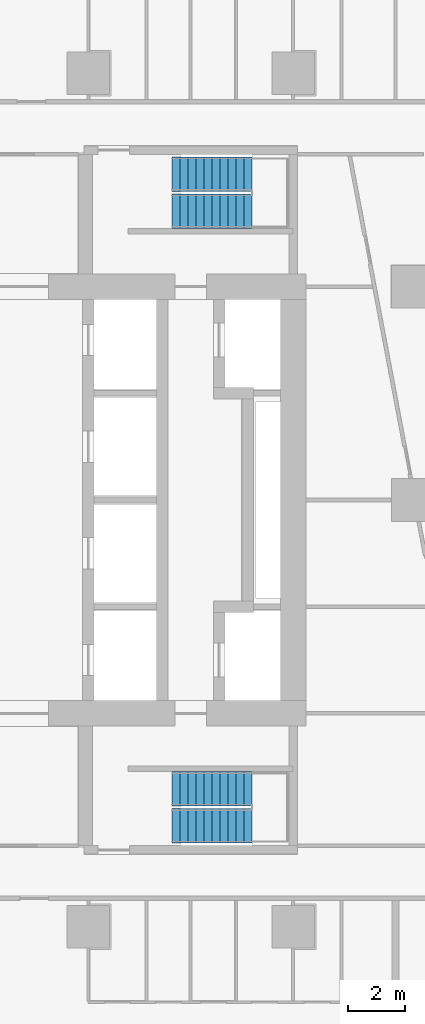
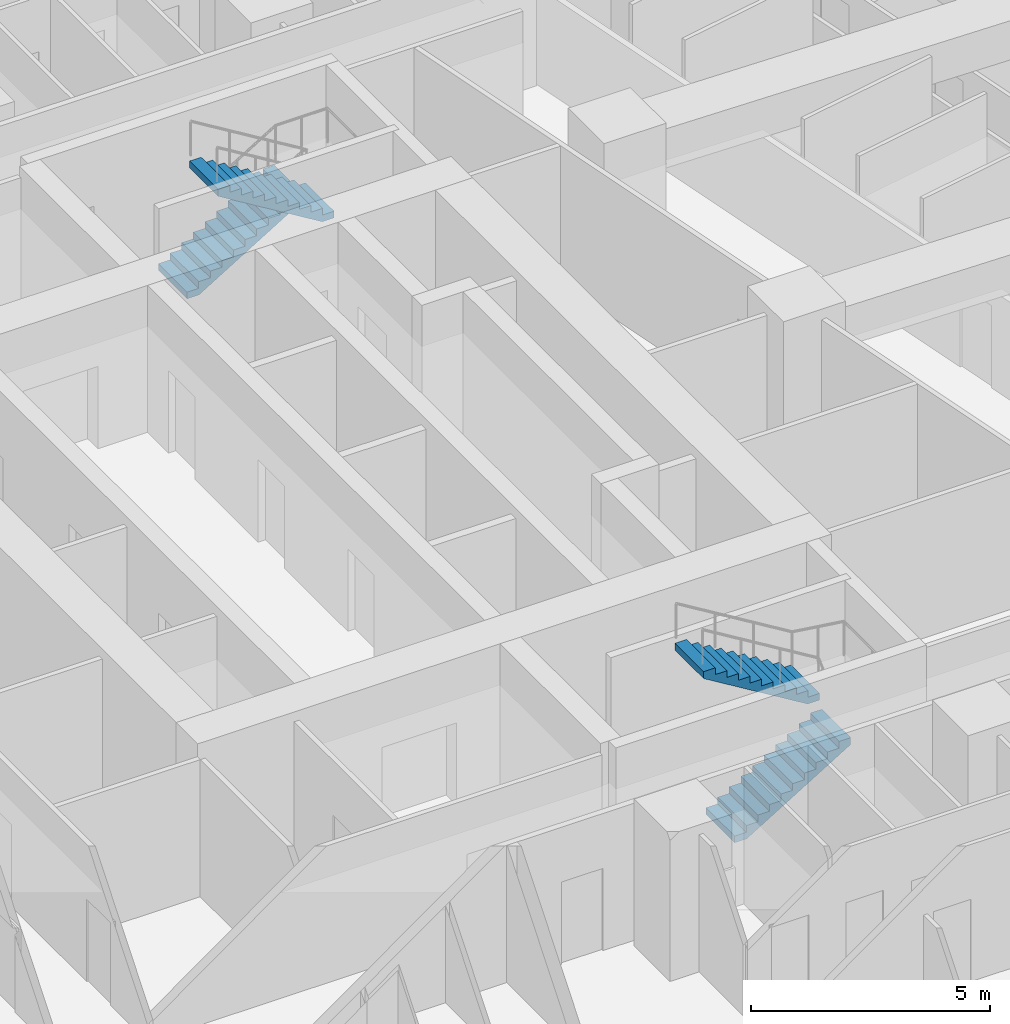
# One storey, part 13 of 15: 4 stair flights, 2 elements without a shape of their own.
"""IFC4 building model written with IfcOpenShell, lengths in metres."""

import ifcopenshell
import ifcopenshell.guid

model = None  # the IFC model being written
_history = None  # IfcOwnerHistory: only IFC2X3 demands one
_inside = {}  # id of a spatial element -> (the spatial element, [elements in it])
_under = {}  # id of a project, library or spatial element -> (it, [spatial elements below it])
_declared = {}  # id of a project -> (the project, [libraries it declares])
_typed = {}  # id of a type object -> (the type object, [elements of that type])
_made_of = {}  # id of a material, layer set ... -> (it, [elements and type objects made of it])


def new_model(schema):
    """Start an empty IFC model of exactly this schema.

    Asked for "IFC4X3", IfcOpenShell would pick the latest addendum, in which some entities
    have other attributes; the version numbers below select the first issue.
    IFC2X3 requires an IfcOwnerHistory on every rooted entity: one is made here for all.
    """
    global model, _history
    if schema == "IFC4X3":
        model = ifcopenshell.file(schema_version=(4, 3, 0, 0))
    else:
        model = ifcopenshell.file(schema=schema)
    _inside.clear()
    _under.clear()
    _declared.clear()
    _typed.clear()
    _made_of.clear()
    _history = None
    if model.schema == "IFC2X3":
        org = make("IfcOrganization", Name="unknown")
        user = make(
            "IfcPersonAndOrganization",
            ThePerson=make("IfcPerson", FamilyName="unknown"),
            TheOrganization=org,
        )
        app = make(
            "IfcApplication",
            ApplicationDeveloper=org,
            Version="unknown",
            ApplicationFullName="unknown",
            ApplicationIdentifier="unknown",
        )
        _history = make(
            "IfcOwnerHistory",
            OwningUser=user,
            OwningApplication=app,
            ChangeAction="ADDED",
            CreationDate=0,
        )
    return model


def make(cls, **values):
    """One entity of the class cls with the attributes given. An attribute that is None is left unset."""
    return model.create_entity(
        cls, **{name: value for name, value in values.items() if value is not None}
    )


def rooted(cls, **values):
    """An entity with a GlobalId (a new one), such as an element, a storey or a relation."""
    return make(cls, GlobalId=ifcopenshell.guid.new(), OwnerHistory=_history, **values)


def si_unit(unit_type, name, prefix=None):
    """IfcSIUnit, for example si_unit("LENGTHUNIT", "METRE", prefix="MILLI")."""
    return make("IfcSIUnit", UnitType=unit_type, Prefix=prefix, Name=name)


def assignment(units):
    """IfcUnitAssignment: the units of a project."""
    return None if units is None else make("IfcUnitAssignment", Units=units)


def point(xyz):
    """IfcCartesianPoint."""
    return None if xyz is None else make("IfcCartesianPoint", Coordinates=xyz)


def direction(xyz):
    """IfcDirection."""
    return None if xyz is None else make("IfcDirection", DirectionRatios=xyz)


def frame(location, z_axis=None, x_axis=None):
    """IfcAxis2Placement3D, a coordinate frame: its origin and axes. An axis left out is left unset."""
    return make(
        "IfcAxis2Placement3D",
        Location=point(location),
        Axis=direction(z_axis),
        RefDirection=direction(x_axis),
    )


def origin():
    """The frame at (0, 0, 0) with its axes left unset."""
    return frame((0.0, 0.0, 0.0))


def place(relative_to, where):
    """IfcLocalPlacement: puts the frame where relative to a parent placement (None: the world)."""
    return make(
        "IfcLocalPlacement", PlacementRelTo=relative_to, RelativePlacement=where
    )


def context(
    kind, dimensions, precision=None, world=None, true_north=None, identifier=None
):
    """IfcGeometricRepresentationContext, for example the 3D "Model" context."""
    return make(
        "IfcGeometricRepresentationContext",
        ContextIdentifier=identifier,
        ContextType=kind,
        CoordinateSpaceDimension=dimensions,
        Precision=precision,
        WorldCoordinateSystem=world,
        TrueNorth=true_north,
    )


def subcontext(parent, identifier, kind, view, scale=None):
    """IfcGeometricRepresentationSubContext, for example "Body" below "Model"."""
    return make(
        "IfcGeometricRepresentationSubContext",
        ContextIdentifier=identifier,
        ContextType=kind,
        ParentContext=parent,
        TargetScale=scale,
        TargetView=view,
    )


def project(units=None, contexts=None):
    """IfcProject with its units and contexts."""
    return rooted(
        "IfcProject",
        Name="project",
        RepresentationContexts=contexts,
        UnitsInContext=assignment(units),
    )


def spatial(cls, under=None, at=None, **own):
    """A site, building, storey or space (cls), placed at a placement, below another one or the project."""
    s = rooted(cls, ObjectPlacement=at, **own)
    if under is not None:
        _under.setdefault(under.id(), (under, []))[1].append(s)
    return s


def point_list(points):
    """IfcCartesianPointList2D or 3D."""
    cls = (
        "IfcCartesianPointList2D" if len(points[0]) == 2 else "IfcCartesianPointList3D"
    )
    return make(cls, CoordList=points)


def triangles(points, corners, closed=None, point_numbers=None):
    """IfcTriangulatedFaceSet: each triangle names its three corners, points numbered from 1."""
    return make(
        "IfcTriangulatedFaceSet",
        Coordinates=point_list(points),
        Closed=closed,
        CoordIndex=corners,
        PnIndex=point_numbers,
    )


def shape(context_of_items, identifier, shape_type, items):
    """IfcShapeRepresentation: the items that make up one representation, for example the "Body"."""
    return make(
        "IfcShapeRepresentation",
        ContextOfItems=context_of_items,
        RepresentationIdentifier=identifier,
        RepresentationType=shape_type,
        Items=items,
    )


def material(Name=None, Category=None):
    """IfcMaterial."""
    return make("IfcMaterial", Name=Name, Category=Category)


def made_of(thing, what):
    """Note that an element or type object is made of a material, layer set ...; save() writes the relation."""
    if what is not None:
        _made_of.setdefault(what.id(), (what, []))[1].append(thing)
    return thing


def type_object(cls, material=None, **own):
    """A type object (cls), such as IfcWallType, which elements share."""
    return made_of(rooted(cls, **own), material)


def element(
    cls,
    number,
    at=None,
    inside=None,
    cuts=None,
    type_object=None,
    material=None,
    context=None,
    identifier="Body",
    shape_type=None,
    held_by="IfcProductDefinitionShape",
    body=None,
    shapes=None,
    **own,
):
    """One element of the class cls, such as IfcWall. Its Tag is "e" and its number.

    at: its placement. inside: the storey or other place that contains it. cuts: it is an
    opening in that element (IfcRelVoidsElement). A single representation is given by context,
    identifier, shape_type and body (its items); several are given by shapes. held_by: the class
    of the entity that holds the representations. save() writes the other relations.
    """
    e = rooted(cls, Tag="e%d" % number, ObjectPlacement=at, **own)
    if body is not None:
        shapes = [shape(context, identifier, shape_type, body)]
    if shapes is not None:
        e.Representation = make(held_by, Representations=shapes)
    if inside is not None:
        _inside.setdefault(inside.id(), (inside, []))[1].append(e)
    if cuts is not None:
        rooted(
            "IfcRelVoidsElement", RelatingBuildingElement=cuts, RelatedOpeningElement=e
        )
    if type_object is not None:
        _typed.setdefault(type_object.id(), (type_object, []))[1].append(e)
    return made_of(e, material)


def aggregate(whole, parts):
    """IfcRelAggregates: a whole, such as a stair, and the parts it consists of."""
    return rooted("IfcRelAggregates", RelatingObject=whole, RelatedObjects=parts)


def save(model, path):
    """Write the relations noted so far, then the file.

    IfcRelAggregates (storeys below a building ...), IfcRelContainedInSpatialStructure (elements
    in a storey), IfcRelDefinesByType, IfcRelAssociatesMaterial and IfcRelDeclares: one each for
    every whole, place, type object, material and project.
    """
    for whole, parts in _under.values():
        aggregate(whole, parts)
    for where, things in _inside.values():
        rooted(
            "IfcRelContainedInSpatialStructure",
            RelatedElements=things,
            RelatingStructure=where,
        )
    for kind, things in _typed.values():
        rooted("IfcRelDefinesByType", RelatedObjects=things, RelatingType=kind)
    for what, things in _made_of.values():
        rooted("IfcRelAssociatesMaterial", RelatedObjects=things, RelatingMaterial=what)
    for by, libraries in _declared.values():
        rooted("IfcRelDeclares", RelatingContext=by, RelatedDefinitions=libraries)
    model.write(path)


model = new_model("IFC4")

# Units and contexts
model_context = context("Model", 3, precision=1e-05, world=origin(), true_north=direction((0.0, 1.0)))
body_context = subcontext(model_context, "Body", "Model", "MODEL_VIEW")
ifc_project = project(units=[si_unit("LENGTHUNIT", "METRE"), si_unit("AREAUNIT", "SQUARE_METRE"), si_unit("VOLUMEUNIT", "CUBIC_METRE"), si_unit("PLANEANGLEUNIT", "RADIAN"), si_unit("MASSUNIT", "GRAM", prefix="KILO")], contexts=[model_context])

# Site, building, storey
site_placement = place(None, origin())
site = spatial("IfcSite", under=ifc_project, at=site_placement, CompositionType="ELEMENT")
building_placement = place(site_placement, origin())
building = spatial("IfcBuilding", under=site, at=building_placement, Name="Sheger Commons Tower", CompositionType="ELEMENT")
storey_placement = place(building_placement, frame((0.0, 0.0, 139.550048828125)))
storey = spatial("IfcBuildingStorey", under=building, at=storey_placement, Name="L35", CompositionType="ELEMENT", Elevation=139.550048828125)

# Stair, stair flights
ifc_material_1 = material(Name="Concrete C35/45", Category="concrete")
stair_type = type_object("IfcStairType", Name="HALF-TURN STAIR 1200 RISE 3750", PredefinedType="HALF_TURN_STAIR", material=ifc_material_1)
stair_1_placement = place(storey_placement, origin())
stair_1 = element("IfcStair", 1, at=stair_1_placement, inside=storey, type_object=stair_type, Name="Stair S1 L35", PredefinedType="HALF_TURN_STAIR")
ifc_material_2 = material(Name="Concrete C35/45", Category="concrete")
stair_flight_type = type_object("IfcStairFlightType", Name="STAIR FLIGHT 1200 11 RISERS OF 170", PredefinedType="STRAIGHT", material=ifc_material_2)
stair_flight_1_placement = place(storey_placement, frame((24.550048828125, 11.050048828125, 0.0), z_axis=(0.0, 0.0, 1.0), x_axis=(1.0, 0.0, 0.0)))
stair_flight_1 = element("IfcStairFlight", 2, at=stair_flight_1_placement, type_object=stair_flight_type, Name="S1 flight 1", NumberOfRisers=11, NumberOfTreads=10, PredefinedType="STRAIGHT", RiserHeight=0.170454545, TreadLength=0.28, context=body_context, shape_type="Tessellation", body=[
    triangles([(0.0, 0.5999755859375, 0.0), (0.0, 0.5999755859375, 0.17041015625), (0.280029296875, 0.5999755859375, 0.17041015625), (0.280029296875, 0.5999755859375, 0.3408203125), (0.56005859375, 0.5999755859375, 0.3408203125), (0.56005859375, 0.5999755859375, 0.511474609375), (0.840087890625, 0.5999755859375, 0.511474609375), (0.840087890625, 0.5999755859375, 0.681884765625), (1.1201171875, 0.5999755859375, 0.681884765625), (1.1201171875, 0.5999755859375, 0.852294921875), (1.39990234375, 0.5999755859375, 0.852294921875), (1.39990234375, 0.5999755859375, 1.022705078125), (1.679931640625, 0.5999755859375, 1.022705078125), (1.679931640625, 0.5999755859375, 1.193115234375), (1.9599609375, 0.5999755859375, 1.193115234375), (1.9599609375, 0.5999755859375, 1.363525390625), (2.239990234375, 0.5999755859375, 1.363525390625), (2.239990234375, 0.5999755859375, 1.5341796875), (2.52001953125, 0.5999755859375, 1.5341796875), (2.52001953125, 0.5999755859375, 1.70458984375), (2.800048828125, 0.5999755859375, 1.70458984375), (2.800048828125, 0.5999755859375, 1.529052734375), (0.288330078125, 0.5999755859375, 0.0), (0.0, -0.5999755859375, 0.0), (0.0, -0.5999755859375, 0.17041015625), (0.280029296875, -0.5999755859375, 0.17041015625), (0.280029296875, -0.5999755859375, 0.3408203125), (0.56005859375, -0.5999755859375, 0.3408203125), (0.56005859375, -0.5999755859375, 0.511474609375), (0.840087890625, -0.5999755859375, 0.511474609375), (0.840087890625, -0.5999755859375, 0.681884765625), (1.1201171875, -0.5999755859375, 0.681884765625), (1.1201171875, -0.5999755859375, 0.852294921875), (1.39990234375, -0.5999755859375, 0.852294921875), (1.39990234375, -0.5999755859375, 1.022705078125), (1.679931640625, -0.5999755859375, 1.022705078125), (1.679931640625, -0.5999755859375, 1.193115234375), (1.9599609375, -0.5999755859375, 1.193115234375), (1.9599609375, -0.5999755859375, 1.363525390625), (2.239990234375, -0.5999755859375, 1.363525390625), (2.239990234375, -0.5999755859375, 1.5341796875), (2.52001953125, -0.5999755859375, 1.5341796875), (2.52001953125, -0.5999755859375, 1.70458984375), (2.800048828125, -0.5999755859375, 1.70458984375), (2.800048828125, -0.5999755859375, 1.529052734375), (0.288330078125, -0.5999755859375, 0.0), (0.0, 0.0, 0.085205078125), (0.1400146484375, 0.0, 0.17041015625), (0.280029296875, 0.0, 0.255615234375), (0.4200439453125, 0.0, 0.3408203125), (0.56005859375, 0.0, 0.4261474609375), (0.7000732421875, 0.0, 0.511474609375), (0.840087890625, 0.0, 0.5966796875), (0.9801025390625, 0.0, 0.681884765625), (1.1201171875, 0.0, 0.76708984375), (1.260009765625, 0.0, 0.852294921875), (1.39990234375, 0.0, 0.9375), (1.5399169921875, 0.0, 1.022705078125), (1.679931640625, 0.0, 1.10791015625), (1.8199462890625, 0.0, 1.193115234375), (1.9599609375, 0.0, 1.2783203125), (2.0999755859375, 0.0, 1.363525390625), (2.239990234375, 0.0, 1.4488525390625), (2.3800048828125, 0.0, 1.5341796875), (2.52001953125, 0.0, 1.619384765625), (2.6600341796875, 0.0, 1.70458984375), (2.800048828125, 0.0, 1.6168212890625), (1.544189453125, 0.0, 0.7645263671875), (0.1441650390625, 0.0, 0.0)], [[1, 22, 23], [24, 46, 45], [22, 20, 21], [45, 44, 43], [22, 19, 20], [45, 43, 42], [22, 18, 19], [45, 42, 41], [22, 17, 18], [45, 41, 40], [17, 15, 16], [40, 39, 38], [22, 15, 17], [45, 40, 38], [15, 13, 14], [38, 37, 36], [22, 13, 15], [45, 38, 36], [13, 11, 12], [36, 35, 34], [22, 11, 13], [45, 36, 34], [11, 9, 10], [34, 33, 32], [22, 9, 11], [45, 34, 32], [9, 7, 8], [32, 31, 30], [22, 7, 9], [45, 32, 30], [7, 5, 6], [30, 29, 28], [22, 5, 7], [45, 30, 28], [5, 3, 4], [28, 27, 26], [22, 3, 5], [45, 28, 26], [1, 3, 22], [24, 45, 26], [3, 1, 2], [26, 25, 24], [1, 47, 2], [2, 47, 25], [25, 47, 24], [24, 47, 1], [2, 48, 3], [3, 48, 26], [26, 48, 25], [25, 48, 2], [3, 49, 4], [4, 49, 27], [27, 49, 26], [26, 49, 3], [4, 50, 5], [5, 50, 28], [28, 50, 27], [27, 50, 4], [5, 51, 6], [6, 51, 29], [29, 51, 28], [28, 51, 5], [6, 52, 7], [7, 52, 30], [30, 52, 29], [29, 52, 6], [7, 53, 8], [8, 53, 31], [31, 53, 30], [30, 53, 7], [8, 54, 9], [9, 54, 32], [32, 54, 31], [31, 54, 8], [9, 55, 10], [10, 55, 33], [33, 55, 32], [32, 55, 9], [10, 56, 11], [11, 56, 34], [34, 56, 33], [33, 56, 10], [11, 57, 12], [12, 57, 35], [35, 57, 34], [34, 57, 11], [12, 58, 13], [13, 58, 36], [36, 58, 35], [35, 58, 12], [13, 59, 14], [14, 59, 37], [37, 59, 36], [36, 59, 13], [14, 60, 15], [15, 60, 38], [38, 60, 37], [37, 60, 14], [15, 61, 16], [16, 61, 39], [39, 61, 38], [38, 61, 15], [16, 62, 17], [17, 62, 40], [40, 62, 39], [39, 62, 16], [17, 63, 18], [18, 63, 41], [41, 63, 40], [40, 63, 17], [18, 64, 19], [19, 64, 42], [42, 64, 41], [41, 64, 18], [19, 65, 20], [20, 65, 43], [43, 65, 42], [42, 65, 19], [20, 66, 21], [21, 66, 44], [44, 66, 43], [43, 66, 20], [21, 67, 22], [22, 67, 45], [45, 67, 44], [44, 67, 21], [22, 68, 23], [23, 68, 46], [46, 68, 45], [45, 68, 22], [23, 69, 1], [1, 69, 24], [24, 69, 46], [46, 69, 23]], closed=True),
])
stair_flight_2_placement = place(storey_placement, frame((27.35009765625, 12.35009765625, 1.875), z_axis=(0.0, 0.0, 1.0), x_axis=(-1.0, 0.0, 0.0)))
stair_flight_2 = element("IfcStairFlight", 3, at=stair_flight_2_placement, type_object=stair_flight_type, Name="S1 flight 2", NumberOfRisers=11, NumberOfTreads=10, PredefinedType="STRAIGHT", RiserHeight=0.170454545, TreadLength=0.28, context=body_context, shape_type="Tessellation", body=[
    triangles([(0.0, 0.5999755859375, 0.0), (0.0, 0.5999755859375, 0.17041015625), (0.280029296875, 0.5999755859375, 0.17041015625), (0.280029296875, 0.5999755859375, 0.3408203125), (0.56005859375, 0.5999755859375, 0.3408203125), (0.56005859375, 0.5999755859375, 0.511474609375), (0.840087890625, 0.5999755859375, 0.511474609375), (0.840087890625, 0.5999755859375, 0.681884765625), (1.1201171875, 0.5999755859375, 0.681884765625), (1.1201171875, 0.5999755859375, 0.852294921875), (1.39990234375, 0.5999755859375, 0.852294921875), (1.39990234375, 0.5999755859375, 1.022705078125), (1.679931640625, 0.5999755859375, 1.022705078125), (1.679931640625, 0.5999755859375, 1.193115234375), (1.9599609375, 0.5999755859375, 1.193115234375), (1.9599609375, 0.5999755859375, 1.363525390625), (2.239990234375, 0.5999755859375, 1.363525390625), (2.239990234375, 0.5999755859375, 1.5341796875), (2.52001953125, 0.5999755859375, 1.5341796875), (2.52001953125, 0.5999755859375, 1.70458984375), (2.800048828125, 0.5999755859375, 1.70458984375), (2.800048828125, 0.5999755859375, 1.529052734375), (0.288330078125, 0.5999755859375, 0.0), (0.0, -0.5999755859375, 0.0), (0.0, -0.5999755859375, 0.17041015625), (0.280029296875, -0.5999755859375, 0.17041015625), (0.280029296875, -0.5999755859375, 0.3408203125), (0.56005859375, -0.5999755859375, 0.3408203125), (0.56005859375, -0.5999755859375, 0.511474609375), (0.840087890625, -0.5999755859375, 0.511474609375), (0.840087890625, -0.5999755859375, 0.681884765625), (1.1201171875, -0.5999755859375, 0.681884765625), (1.1201171875, -0.5999755859375, 0.852294921875), (1.39990234375, -0.5999755859375, 0.852294921875), (1.39990234375, -0.5999755859375, 1.022705078125), (1.679931640625, -0.5999755859375, 1.022705078125), (1.679931640625, -0.5999755859375, 1.193115234375), (1.9599609375, -0.5999755859375, 1.193115234375), (1.9599609375, -0.5999755859375, 1.363525390625), (2.239990234375, -0.5999755859375, 1.363525390625), (2.239990234375, -0.5999755859375, 1.5341796875), (2.52001953125, -0.5999755859375, 1.5341796875), (2.52001953125, -0.5999755859375, 1.70458984375), (2.800048828125, -0.5999755859375, 1.70458984375), (2.800048828125, -0.5999755859375, 1.529052734375), (0.288330078125, -0.5999755859375, 0.0), (0.0, 0.0, 0.085205078125), (0.1400146484375, 0.0, 0.17041015625), (0.280029296875, 0.0, 0.255615234375), (0.4200439453125, 0.0, 0.3408203125), (0.56005859375, 0.0, 0.4261474609375), (0.7000732421875, 0.0, 0.511474609375), (0.840087890625, 0.0, 0.5966796875), (0.9801025390625, 0.0, 0.681884765625), (1.1201171875, 0.0, 0.76708984375), (1.260009765625, 0.0, 0.852294921875), (1.39990234375, 0.0, 0.9375), (1.5399169921875, 0.0, 1.022705078125), (1.679931640625, 0.0, 1.10791015625), (1.8199462890625, 0.0, 1.193115234375), (1.9599609375, 0.0, 1.2783203125), (2.0999755859375, 0.0, 1.363525390625), (2.239990234375, 0.0, 1.4488525390625), (2.3800048828125, 0.0, 1.5341796875), (2.52001953125, 0.0, 1.619384765625), (2.6600341796875, 0.0, 1.70458984375), (2.800048828125, 0.0, 1.6168212890625), (1.544189453125, 0.0, 0.7645263671875), (0.1441650390625, 0.0, 0.0)], [[1, 22, 23], [24, 46, 45], [22, 20, 21], [45, 44, 43], [22, 19, 20], [45, 43, 42], [22, 18, 19], [45, 42, 41], [22, 17, 18], [45, 41, 40], [17, 15, 16], [40, 39, 38], [22, 15, 17], [45, 40, 38], [15, 13, 14], [38, 37, 36], [22, 13, 15], [45, 38, 36], [13, 11, 12], [36, 35, 34], [22, 11, 13], [45, 36, 34], [11, 9, 10], [34, 33, 32], [22, 9, 11], [45, 34, 32], [9, 7, 8], [32, 31, 30], [22, 7, 9], [45, 32, 30], [7, 5, 6], [30, 29, 28], [22, 5, 7], [45, 30, 28], [5, 3, 4], [28, 27, 26], [22, 3, 5], [45, 28, 26], [1, 3, 22], [24, 45, 26], [3, 1, 2], [26, 25, 24], [1, 47, 2], [2, 47, 25], [25, 47, 24], [24, 47, 1], [2, 48, 3], [3, 48, 26], [26, 48, 25], [25, 48, 2], [3, 49, 4], [4, 49, 27], [27, 49, 26], [26, 49, 3], [4, 50, 5], [5, 50, 28], [28, 50, 27], [27, 50, 4], [5, 51, 6], [6, 51, 29], [29, 51, 28], [28, 51, 5], [6, 52, 7], [7, 52, 30], [30, 52, 29], [29, 52, 6], [7, 53, 8], [8, 53, 31], [31, 53, 30], [30, 53, 7], [8, 54, 9], [9, 54, 32], [32, 54, 31], [31, 54, 8], [9, 55, 10], [10, 55, 33], [33, 55, 32], [32, 55, 9], [10, 56, 11], [11, 56, 34], [34, 56, 33], [33, 56, 10], [11, 57, 12], [12, 57, 35], [35, 57, 34], [34, 57, 11], [12, 58, 13], [13, 58, 36], [36, 58, 35], [35, 58, 12], [13, 59, 14], [14, 59, 37], [37, 59, 36], [36, 59, 13], [14, 60, 15], [15, 60, 38], [38, 60, 37], [37, 60, 14], [15, 61, 16], [16, 61, 39], [39, 61, 38], [38, 61, 15], [16, 62, 17], [17, 62, 40], [40, 62, 39], [39, 62, 16], [17, 63, 18], [18, 63, 41], [41, 63, 40], [40, 63, 17], [18, 64, 19], [19, 64, 42], [42, 64, 41], [41, 64, 18], [19, 65, 20], [20, 65, 43], [43, 65, 42], [42, 65, 19], [20, 66, 21], [21, 66, 44], [44, 66, 43], [43, 66, 20], [21, 67, 22], [22, 67, 45], [45, 67, 44], [44, 67, 21], [22, 68, 23], [23, 68, 46], [46, 68, 45], [45, 68, 22], [23, 69, 1], [1, 69, 24], [24, 69, 46], [46, 69, 23]], closed=True),
])
aggregate(stair_1, [stair_flight_1, stair_flight_2])

stair_2_placement = place(storey_placement, origin())
stair_2 = element("IfcStair", 4, at=stair_2_placement, inside=storey, type_object=stair_type, Name="Stair S2 L35", PredefinedType="HALF_TURN_STAIR")
stair_flight_3_placement = place(storey_placement, frame((24.550048828125, 33.949951171875, 0.0), z_axis=(0.0, 0.0, 1.0), x_axis=(1.0, 0.0, 0.0)))
stair_flight_3 = element("IfcStairFlight", 5, at=stair_flight_3_placement, type_object=stair_flight_type, Name="S2 flight 1", NumberOfRisers=11, NumberOfTreads=10, PredefinedType="STRAIGHT", RiserHeight=0.170454545, TreadLength=0.28, context=body_context, shape_type="Tessellation", body=[
    triangles([(0.0, 0.5999755859375, 0.0), (0.0, 0.5999755859375, 0.17041015625), (0.280029296875, 0.5999755859375, 0.17041015625), (0.280029296875, 0.5999755859375, 0.3408203125), (0.56005859375, 0.5999755859375, 0.3408203125), (0.56005859375, 0.5999755859375, 0.511474609375), (0.840087890625, 0.5999755859375, 0.511474609375), (0.840087890625, 0.5999755859375, 0.681884765625), (1.1201171875, 0.5999755859375, 0.681884765625), (1.1201171875, 0.5999755859375, 0.852294921875), (1.39990234375, 0.5999755859375, 0.852294921875), (1.39990234375, 0.5999755859375, 1.022705078125), (1.679931640625, 0.5999755859375, 1.022705078125), (1.679931640625, 0.5999755859375, 1.193115234375), (1.9599609375, 0.5999755859375, 1.193115234375), (1.9599609375, 0.5999755859375, 1.363525390625), (2.239990234375, 0.5999755859375, 1.363525390625), (2.239990234375, 0.5999755859375, 1.5341796875), (2.52001953125, 0.5999755859375, 1.5341796875), (2.52001953125, 0.5999755859375, 1.70458984375), (2.800048828125, 0.5999755859375, 1.70458984375), (2.800048828125, 0.5999755859375, 1.529052734375), (0.288330078125, 0.5999755859375, 0.0), (0.0, -0.5999755859375, 0.0), (0.0, -0.5999755859375, 0.17041015625), (0.280029296875, -0.5999755859375, 0.17041015625), (0.280029296875, -0.5999755859375, 0.3408203125), (0.56005859375, -0.5999755859375, 0.3408203125), (0.56005859375, -0.5999755859375, 0.511474609375), (0.840087890625, -0.5999755859375, 0.511474609375), (0.840087890625, -0.5999755859375, 0.681884765625), (1.1201171875, -0.5999755859375, 0.681884765625), (1.1201171875, -0.5999755859375, 0.852294921875), (1.39990234375, -0.5999755859375, 0.852294921875), (1.39990234375, -0.5999755859375, 1.022705078125), (1.679931640625, -0.5999755859375, 1.022705078125), (1.679931640625, -0.5999755859375, 1.193115234375), (1.9599609375, -0.5999755859375, 1.193115234375), (1.9599609375, -0.5999755859375, 1.363525390625), (2.239990234375, -0.5999755859375, 1.363525390625), (2.239990234375, -0.5999755859375, 1.5341796875), (2.52001953125, -0.5999755859375, 1.5341796875), (2.52001953125, -0.5999755859375, 1.70458984375), (2.800048828125, -0.5999755859375, 1.70458984375), (2.800048828125, -0.5999755859375, 1.529052734375), (0.288330078125, -0.5999755859375, 0.0), (0.0, 0.0, 0.085205078125), (0.1400146484375, 0.0, 0.17041015625), (0.280029296875, 0.0, 0.255615234375), (0.4200439453125, 0.0, 0.3408203125), (0.56005859375, 0.0, 0.4261474609375), (0.7000732421875, 0.0, 0.511474609375), (0.840087890625, 0.0, 0.5966796875), (0.9801025390625, 0.0, 0.681884765625), (1.1201171875, 0.0, 0.76708984375), (1.260009765625, 0.0, 0.852294921875), (1.39990234375, 0.0, 0.9375), (1.5399169921875, 0.0, 1.022705078125), (1.679931640625, 0.0, 1.10791015625), (1.8199462890625, 0.0, 1.193115234375), (1.9599609375, 0.0, 1.2783203125), (2.0999755859375, 0.0, 1.363525390625), (2.239990234375, 0.0, 1.4488525390625), (2.3800048828125, 0.0, 1.5341796875), (2.52001953125, 0.0, 1.619384765625), (2.6600341796875, 0.0, 1.70458984375), (2.800048828125, 0.0, 1.6168212890625), (1.544189453125, 0.0, 0.7645263671875), (0.1441650390625, 0.0, 0.0)], [[1, 22, 23], [24, 46, 45], [22, 20, 21], [45, 44, 43], [22, 19, 20], [45, 43, 42], [22, 18, 19], [45, 42, 41], [22, 17, 18], [45, 41, 40], [17, 15, 16], [40, 39, 38], [22, 15, 17], [45, 40, 38], [15, 13, 14], [38, 37, 36], [22, 13, 15], [45, 38, 36], [13, 11, 12], [36, 35, 34], [22, 11, 13], [45, 36, 34], [11, 9, 10], [34, 33, 32], [22, 9, 11], [45, 34, 32], [9, 7, 8], [32, 31, 30], [22, 7, 9], [45, 32, 30], [7, 5, 6], [30, 29, 28], [22, 5, 7], [45, 30, 28], [5, 3, 4], [28, 27, 26], [22, 3, 5], [45, 28, 26], [1, 3, 22], [24, 45, 26], [3, 1, 2], [26, 25, 24], [1, 47, 2], [2, 47, 25], [25, 47, 24], [24, 47, 1], [2, 48, 3], [3, 48, 26], [26, 48, 25], [25, 48, 2], [3, 49, 4], [4, 49, 27], [27, 49, 26], [26, 49, 3], [4, 50, 5], [5, 50, 28], [28, 50, 27], [27, 50, 4], [5, 51, 6], [6, 51, 29], [29, 51, 28], [28, 51, 5], [6, 52, 7], [7, 52, 30], [30, 52, 29], [29, 52, 6], [7, 53, 8], [8, 53, 31], [31, 53, 30], [30, 53, 7], [8, 54, 9], [9, 54, 32], [32, 54, 31], [31, 54, 8], [9, 55, 10], [10, 55, 33], [33, 55, 32], [32, 55, 9], [10, 56, 11], [11, 56, 34], [34, 56, 33], [33, 56, 10], [11, 57, 12], [12, 57, 35], [35, 57, 34], [34, 57, 11], [12, 58, 13], [13, 58, 36], [36, 58, 35], [35, 58, 12], [13, 59, 14], [14, 59, 37], [37, 59, 36], [36, 59, 13], [14, 60, 15], [15, 60, 38], [38, 60, 37], [37, 60, 14], [15, 61, 16], [16, 61, 39], [39, 61, 38], [38, 61, 15], [16, 62, 17], [17, 62, 40], [40, 62, 39], [39, 62, 16], [17, 63, 18], [18, 63, 41], [41, 63, 40], [40, 63, 17], [18, 64, 19], [19, 64, 42], [42, 64, 41], [41, 64, 18], [19, 65, 20], [20, 65, 43], [43, 65, 42], [42, 65, 19], [20, 66, 21], [21, 66, 44], [44, 66, 43], [43, 66, 20], [21, 67, 22], [22, 67, 45], [45, 67, 44], [44, 67, 21], [22, 68, 23], [23, 68, 46], [46, 68, 45], [45, 68, 22], [23, 69, 1], [1, 69, 24], [24, 69, 46], [46, 69, 23]], closed=True),
])
stair_flight_4_placement = place(storey_placement, frame((27.35009765625, 32.64990234375, 1.875), z_axis=(0.0, 0.0, 1.0), x_axis=(-1.0, 0.0, 0.0)))
stair_flight_4 = element("IfcStairFlight", 6, at=stair_flight_4_placement, type_object=stair_flight_type, Name="S2 flight 2", NumberOfRisers=11, NumberOfTreads=10, PredefinedType="STRAIGHT", RiserHeight=0.170454545, TreadLength=0.28, context=body_context, shape_type="Tessellation", body=[
    triangles([(0.0, 0.5999755859375, 0.0), (0.0, 0.5999755859375, 0.17041015625), (0.280029296875, 0.5999755859375, 0.17041015625), (0.280029296875, 0.5999755859375, 0.3408203125), (0.56005859375, 0.5999755859375, 0.3408203125), (0.56005859375, 0.5999755859375, 0.511474609375), (0.840087890625, 0.5999755859375, 0.511474609375), (0.840087890625, 0.5999755859375, 0.681884765625), (1.1201171875, 0.5999755859375, 0.681884765625), (1.1201171875, 0.5999755859375, 0.852294921875), (1.39990234375, 0.5999755859375, 0.852294921875), (1.39990234375, 0.5999755859375, 1.022705078125), (1.679931640625, 0.5999755859375, 1.022705078125), (1.679931640625, 0.5999755859375, 1.193115234375), (1.9599609375, 0.5999755859375, 1.193115234375), (1.9599609375, 0.5999755859375, 1.363525390625), (2.239990234375, 0.5999755859375, 1.363525390625), (2.239990234375, 0.5999755859375, 1.5341796875), (2.52001953125, 0.5999755859375, 1.5341796875), (2.52001953125, 0.5999755859375, 1.70458984375), (2.800048828125, 0.5999755859375, 1.70458984375), (2.800048828125, 0.5999755859375, 1.529052734375), (0.288330078125, 0.5999755859375, 0.0), (0.0, -0.5999755859375, 0.0), (0.0, -0.5999755859375, 0.17041015625), (0.280029296875, -0.5999755859375, 0.17041015625), (0.280029296875, -0.5999755859375, 0.3408203125), (0.56005859375, -0.5999755859375, 0.3408203125), (0.56005859375, -0.5999755859375, 0.511474609375), (0.840087890625, -0.5999755859375, 0.511474609375), (0.840087890625, -0.5999755859375, 0.681884765625), (1.1201171875, -0.5999755859375, 0.681884765625), (1.1201171875, -0.5999755859375, 0.852294921875), (1.39990234375, -0.5999755859375, 0.852294921875), (1.39990234375, -0.5999755859375, 1.022705078125), (1.679931640625, -0.5999755859375, 1.022705078125), (1.679931640625, -0.5999755859375, 1.193115234375), (1.9599609375, -0.5999755859375, 1.193115234375), (1.9599609375, -0.5999755859375, 1.363525390625), (2.239990234375, -0.5999755859375, 1.363525390625), (2.239990234375, -0.5999755859375, 1.5341796875), (2.52001953125, -0.5999755859375, 1.5341796875), (2.52001953125, -0.5999755859375, 1.70458984375), (2.800048828125, -0.5999755859375, 1.70458984375), (2.800048828125, -0.5999755859375, 1.529052734375), (0.288330078125, -0.5999755859375, 0.0), (0.0, 0.0, 0.085205078125), (0.1400146484375, 0.0, 0.17041015625), (0.280029296875, 0.0, 0.255615234375), (0.4200439453125, 0.0, 0.3408203125), (0.56005859375, 0.0, 0.4261474609375), (0.7000732421875, 0.0, 0.511474609375), (0.840087890625, 0.0, 0.5966796875), (0.9801025390625, 0.0, 0.681884765625), (1.1201171875, 0.0, 0.76708984375), (1.260009765625, 0.0, 0.852294921875), (1.39990234375, 0.0, 0.9375), (1.5399169921875, 0.0, 1.022705078125), (1.679931640625, 0.0, 1.10791015625), (1.8199462890625, 0.0, 1.193115234375), (1.9599609375, 0.0, 1.2783203125), (2.0999755859375, 0.0, 1.363525390625), (2.239990234375, 0.0, 1.4488525390625), (2.3800048828125, 0.0, 1.5341796875), (2.52001953125, 0.0, 1.619384765625), (2.6600341796875, 0.0, 1.70458984375), (2.800048828125, 0.0, 1.6168212890625), (1.544189453125, 0.0, 0.7645263671875), (0.1441650390625, 0.0, 0.0)], [[1, 22, 23], [24, 46, 45], [22, 20, 21], [45, 44, 43], [22, 19, 20], [45, 43, 42], [22, 18, 19], [45, 42, 41], [22, 17, 18], [45, 41, 40], [17, 15, 16], [40, 39, 38], [22, 15, 17], [45, 40, 38], [15, 13, 14], [38, 37, 36], [22, 13, 15], [45, 38, 36], [13, 11, 12], [36, 35, 34], [22, 11, 13], [45, 36, 34], [11, 9, 10], [34, 33, 32], [22, 9, 11], [45, 34, 32], [9, 7, 8], [32, 31, 30], [22, 7, 9], [45, 32, 30], [7, 5, 6], [30, 29, 28], [22, 5, 7], [45, 30, 28], [5, 3, 4], [28, 27, 26], [22, 3, 5], [45, 28, 26], [1, 3, 22], [24, 45, 26], [3, 1, 2], [26, 25, 24], [1, 47, 2], [2, 47, 25], [25, 47, 24], [24, 47, 1], [2, 48, 3], [3, 48, 26], [26, 48, 25], [25, 48, 2], [3, 49, 4], [4, 49, 27], [27, 49, 26], [26, 49, 3], [4, 50, 5], [5, 50, 28], [28, 50, 27], [27, 50, 4], [5, 51, 6], [6, 51, 29], [29, 51, 28], [28, 51, 5], [6, 52, 7], [7, 52, 30], [30, 52, 29], [29, 52, 6], [7, 53, 8], [8, 53, 31], [31, 53, 30], [30, 53, 7], [8, 54, 9], [9, 54, 32], [32, 54, 31], [31, 54, 8], [9, 55, 10], [10, 55, 33], [33, 55, 32], [32, 55, 9], [10, 56, 11], [11, 56, 34], [34, 56, 33], [33, 56, 10], [11, 57, 12], [12, 57, 35], [35, 57, 34], [34, 57, 11], [12, 58, 13], [13, 58, 36], [36, 58, 35], [35, 58, 12], [13, 59, 14], [14, 59, 37], [37, 59, 36], [36, 59, 13], [14, 60, 15], [15, 60, 38], [38, 60, 37], [37, 60, 14], [15, 61, 16], [16, 61, 39], [39, 61, 38], [38, 61, 15], [16, 62, 17], [17, 62, 40], [40, 62, 39], [39, 62, 16], [17, 63, 18], [18, 63, 41], [41, 63, 40], [40, 63, 17], [18, 64, 19], [19, 64, 42], [42, 64, 41], [41, 64, 18], [19, 65, 20], [20, 65, 43], [43, 65, 42], [42, 65, 19], [20, 66, 21], [21, 66, 44], [44, 66, 43], [43, 66, 20], [21, 67, 22], [22, 67, 45], [45, 67, 44], [44, 67, 21], [22, 68, 23], [23, 68, 46], [46, 68, 45], [45, 68, 22], [23, 69, 1], [1, 69, 24], [24, 69, 46], [46, 69, 23]], closed=True),
])
aggregate(stair_2, [stair_flight_3, stair_flight_4])

save(model, "model.ifc")
